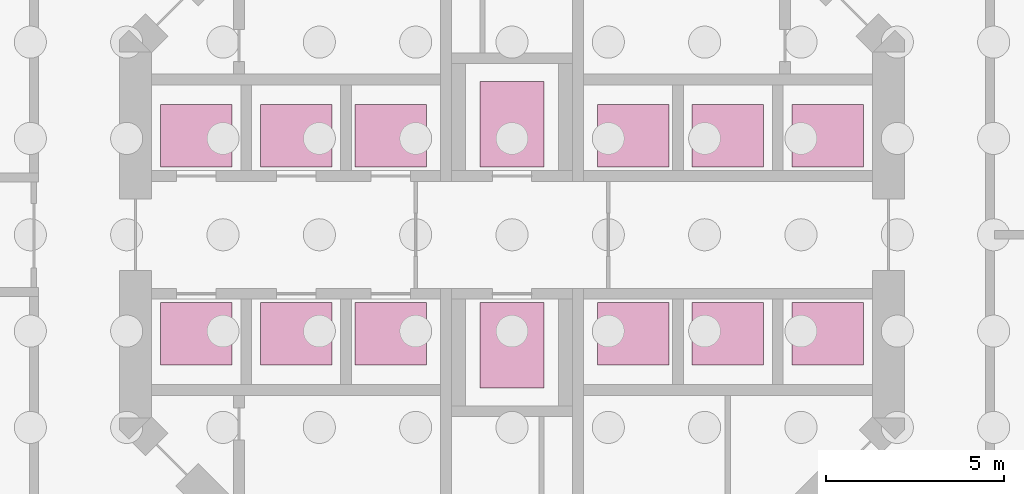
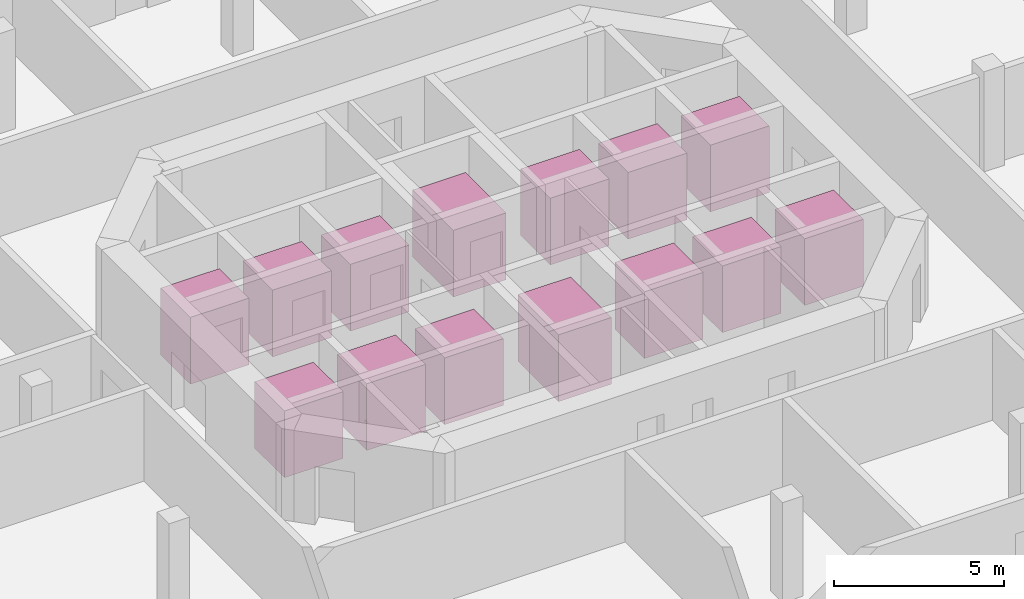
# One storey, part 23 of 23: 14 transport elements.
"""IFC4 building model written with IfcOpenShell, lengths in metres."""

from ifc_helpers import new_model, si_unit, direction, frame, origin, origin_2d, place, context, subcontext, project, spatial, rectangle, extrude, material, type_object, element, save


model = new_model("IFC4")

# Units and contexts
model_context = context("Model", 3, precision=1e-05, world=origin(), true_north=direction((0.0, 1.0)))
body_context = subcontext(model_context, "Body", "Model", "MODEL_VIEW")
ifc_project = project(units=[si_unit("LENGTHUNIT", "METRE"), si_unit("AREAUNIT", "SQUARE_METRE"), si_unit("VOLUMEUNIT", "CUBIC_METRE"), si_unit("PLANEANGLEUNIT", "RADIAN"), si_unit("MASSUNIT", "GRAM", prefix="KILO")], contexts=[model_context])

# Site, building, storey
site_placement = place(None, origin())
site = spatial("IfcSite", under=ifc_project, at=site_placement, CompositionType="ELEMENT")
building_placement = place(site_placement, origin())
building = spatial("IfcBuilding", under=site, at=building_placement, Name="Torre Triforio", CompositionType="ELEMENT")
storey_placement = place(building_placement, frame((0.0, 0.0, -10.800048828125)))
storey = spatial("IfcBuildingStorey", under=building, at=storey_placement, Name="B3", CompositionType="ELEMENT", Elevation=-10.800048828125)

# Transport elements
ifc_material = material(Name="Stainless steel AISI 304", Category="steel")
transport_element_type_1 = type_object("IfcTransportElementType", Name="LIFT FIRE-FIGHTING 2000 KG", PredefinedType="ELEVATOR", material=ifc_material)
for number, where, z_axis, x_axis, name in (
    (1, (0.0, 3.10009765625, 0.0), (0.0, 0.0, 1.0), (1.0, 0.0, 0.0), "Fire-fighting lift FFL1"),
    (2, (0.0, -3.10009765625, 0.0), (0.0, 0.0, 1.0), (1.0, 0.0, 0.0), "Fire-fighting lift FFL2"),
):
    element("IfcTransportElement", number, at=place(storey_placement, frame(where, z_axis=z_axis, x_axis=x_axis)), inside=storey, type_object=transport_element_type_1, Name=name, PredefinedType="ELEVATOR", context=body_context, shape_type="SweptSolid", body=[
        extrude(rectangle(XDim=1.800048828125, YDim=2.39990234375, at=origin_2d()), origin(), (0.0, 0.0, 1.0), 2.39990234375),
    ])
transport_element_type_2 = type_object("IfcTransportElementType", Name="LIFT PASSENGER 1600 KG", PredefinedType="ELEVATOR", material=ifc_material)
for number, where, z_axis, x_axis, name in (
    (3, (-8.85009765625, 2.77490234375, 0.0), (0.0, 0.0, 1.0), (1.0, 0.0, 0.0), "Passenger lift LR1"),
    (4, (-6.050048828125, 2.77490234375, 0.0), (0.0, 0.0, 1.0), (1.0, 0.0, 0.0), "Passenger lift LR2"),
    (5, (-3.39990234375, 2.77490234375, 0.0), (0.0, 0.0, 1.0), (1.0, 0.0, 0.0), "Passenger lift LR3"),
    (6, (-8.85009765625, -2.77490234375, 0.0), (0.0, 0.0, 1.0), (1.0, 0.0, 0.0), "Passenger lift LR4"),
    (7, (-6.050048828125, -2.77490234375, 0.0), (0.0, 0.0, 1.0), (1.0, 0.0, 0.0), "Passenger lift LR5"),
    (8, (-3.39990234375, -2.77490234375, 0.0), (0.0, 0.0, 1.0), (1.0, 0.0, 0.0), "Passenger lift LR6"),
    (9, (3.39990234375, 2.77490234375, 0.0), (0.0, 0.0, 1.0), (1.0, 0.0, 0.0), "Passenger lift HR1"),
    (10, (6.050048828125, 2.77490234375, 0.0), (0.0, 0.0, 1.0), (1.0, 0.0, 0.0), "Passenger lift HR2"),
    (11, (8.85009765625, 2.77490234375, 0.0), (0.0, 0.0, 1.0), (1.0, 0.0, 0.0), "Passenger lift HR3"),
    (12, (3.39990234375, -2.77490234375, 0.0), (0.0, 0.0, 1.0), (1.0, 0.0, 0.0), "Passenger lift HR4"),
    (13, (6.050048828125, -2.77490234375, 0.0), (0.0, 0.0, 1.0), (1.0, 0.0, 0.0), "Passenger lift HR5"),
    (14, (8.85009765625, -2.77490234375, 0.0), (0.0, 0.0, 1.0), (1.0, 0.0, 0.0), "Passenger lift HR6"),
):
    element("IfcTransportElement", number, at=place(storey_placement, frame(where, z_axis=z_axis, x_axis=x_axis)), inside=storey, type_object=transport_element_type_2, Name=name, PredefinedType="ELEVATOR", context=body_context, shape_type="SweptSolid", body=[
        extrude(rectangle(XDim=2.0, YDim=1.75, at=origin_2d()), origin(), (0.0, 0.0, 1.0), 2.39990234375),
    ])

save(model, "model.ifc")
